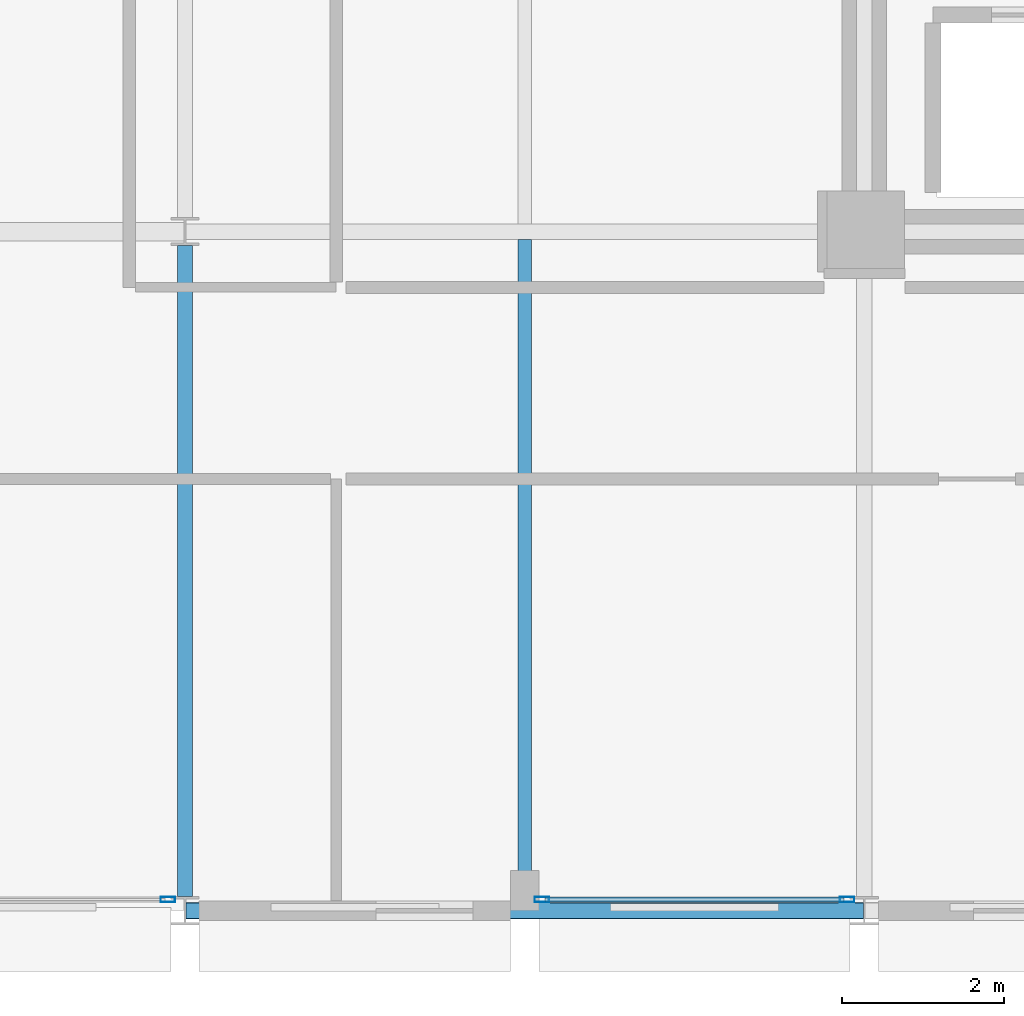
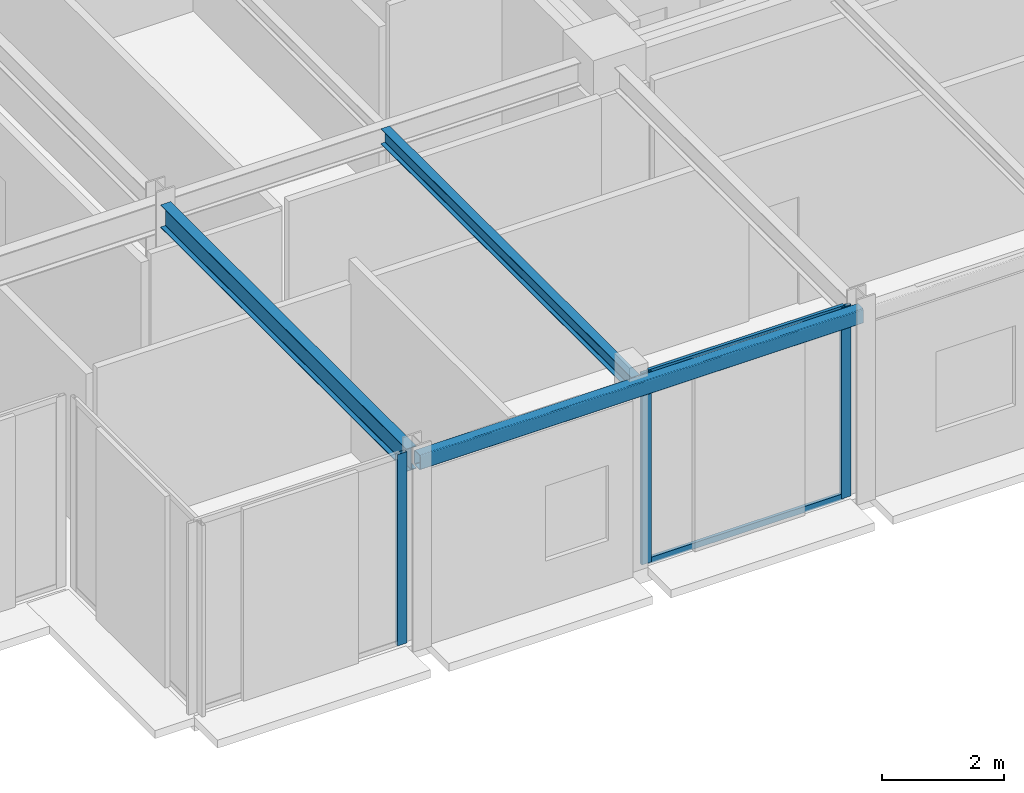
# One storey, part 6 of 29: 5 members, 3 beams, 2 elements without a shape of their own.
"""IFC4 building model written with IfcOpenShell, lengths in metres."""

from ifc_helpers import new_model, si_unit, direction, frame, origin, origin_2d, place, context, subcontext, project, spatial, hollow_rectangle, i_section, extrude, material, layer, layer_set, material_profile, profile_set, type_object, element, aggregate, save


model = new_model("IFC4")

# Units and contexts
model_context = context("Model", 3, precision=1e-05, world=origin(), true_north=direction((0.0, 1.0)))
body_context = subcontext(model_context, "Body", "Model", "MODEL_VIEW")
ifc_project = project(units=[si_unit("LENGTHUNIT", "METRE"), si_unit("AREAUNIT", "SQUARE_METRE"), si_unit("VOLUMEUNIT", "CUBIC_METRE"), si_unit("PLANEANGLEUNIT", "RADIAN"), si_unit("MASSUNIT", "GRAM", prefix="KILO")], contexts=[model_context])

# Site, building, storey
site_placement = place(None, origin())
site = spatial("IfcSite", under=ifc_project, at=site_placement, CompositionType="ELEMENT")
building_placement = place(site_placement, origin())
building = spatial("IfcBuilding", under=site, at=building_placement, Name="Nerrivon Quay Data Exchange", CompositionType="ELEMENT")
storey_placement = place(building_placement, frame((0.0, 0.0, 179.60009765625)))
storey = spatial("IfcBuildingStorey", under=building, at=storey_placement, Name="L42", CompositionType="ELEMENT", Elevation=179.60009765625)

# Beams
ifc_material_1 = material(Name="Steel Grade 350", Category="steel")
ifc_material_profile_1 = material_profile(ifc_material_1, i_section(OverallWidth=0.18994140625, OverallDepth=0.4541015625, WebThickness=0.008544921875, FlangeThickness=0.0126953125, FilletRadius=0.011474609375, at=origin_2d()), Name="460UB67.1")
ifc_profile_set_1 = profile_set([ifc_material_profile_1], Name="Steel Grade 350")
beam_type_1 = type_object("IfcBeamType", Name="BM-G6-460UB67", PredefinedType="BEAM", material=ifc_profile_set_1)
beam_1_placement = place(storey_placement, frame((8.39990234375, 0.175048828125, 3.597900390625), z_axis=(0.0, 1.0, 0.0), x_axis=(-1.0, 0.0, 0.0)))
element("IfcBeam", 1, at=beam_1_placement, inside=storey, type_object=beam_type_1, Name="L42 NS Girder X=8.4 (0.0..8.4)", PredefinedType="BEAM", context=body_context, shape_type="SweptSolid", body=[
    extrude(i_section(OverallWidth=0.18994140625, OverallDepth=0.4541015625, WebThickness=0.008544921875, FlangeThickness=0.0126953125, FilletRadius=0.011474609375, at=origin_2d()), origin(), (0.0, 0.0, 1.0), 8.050048828125),
])
ifc_material_profile_2 = material_profile(ifc_material_1, i_section(OverallWidth=0.166015625, OverallDepth=0.306884765625, WebThickness=0.006591796875, FlangeThickness=0.01171875, FilletRadius=0.011474609375, at=origin_2d()), Name="310UB46.2")
ifc_profile_set_2 = profile_set([ifc_material_profile_2], Name="Steel Grade 350")
beam_type_2 = type_object("IfcBeamType", Name="BM-J5-310UB46", PredefinedType="JOIST", material=ifc_profile_set_2)
beam_2_placement = place(storey_placement, frame((12.60009765625, 0.10009765625, 3.67138671875), z_axis=(0.0, 1.0, 0.0), x_axis=(-1.0, 0.0, 0.0)))
element("IfcBeam", 2, at=beam_2_placement, inside=storey, type_object=beam_type_2, Name="L42 Secondary Joist X=12.6 (0.0..8.4)", PredefinedType="JOIST", context=body_context, shape_type="SweptSolid", body=[
    extrude(i_section(OverallWidth=0.166015625, OverallDepth=0.306884765625, WebThickness=0.006591796875, FlangeThickness=0.01171875, FilletRadius=0.011474609375, at=origin_2d()), origin(), (0.0, 0.0, 1.0), 8.204345703125),
])
ifc_material_2 = material(Name="Steel Grade C350L0 (350 MPa)", Category="steel")
ifc_material_profile_3 = material_profile(ifc_material_2, hollow_rectangle(XDim=0.199951171875, YDim=0.300048828125, WallThickness=0.012451171875, InnerFilletRadius=0.018798828125, OuterFilletRadius=0.03125, at=origin_2d()), Name="300x200x12.5RHS")
ifc_profile_set_3 = profile_set([ifc_material_profile_3], Name="Steel Grade C350L0 (350 MPa)")
beam_type_3 = type_object("IfcBeamType", Name="BM-SP3-300x200RHS", PredefinedType="SPANDREL", material=ifc_profile_set_3)
beam_3_placement = place(storey_placement, frame((8.409912109375, 0.0, 3.6748046875), z_axis=(1.0, 0.0, 0.0), x_axis=(0.0, 1.0, 0.0)))
element("IfcBeam", 3, at=beam_3_placement, inside=storey, type_object=beam_type_3, Name="L42 EW Girder Y=0.0 (8.4..16.8)", PredefinedType="SPANDREL", context=body_context, shape_type="SweptSolid", body=[
    extrude(hollow_rectangle(XDim=0.199951171875, YDim=0.300048828125, WallThickness=0.012451171875, InnerFilletRadius=0.018798828125, OuterFilletRadius=0.03125, at=origin_2d()), origin(), (0.0, 0.0, 1.0), 8.380126953125),
])

# Curtain wall, members
ifc_material_3 = material(Name="Anodised aluminium 6063-T6", Category="aluminium")
ifc_layer = layer(ifc_material_3, 0.195068359375)
ifc_layer_set = layer_set([ifc_layer], Name="Anodised aluminium 6063-T6")
curtain_wall_type = type_object("IfcCurtainWallType", Name="CW-SYS-06", PredefinedType="NOTDEFINED", material=ifc_layer_set)
curtain_wall_1_placement = place(storey_placement, origin())
curtain_wall_1 = element("IfcCurtainWall", 4, at=curtain_wall_1_placement, inside=storey, type_object=curtain_wall_type, Name="L42 Unitised Curtain Wall 26", PredefinedType="NOTDEFINED")
ifc_material_profile_4 = material_profile(ifc_material_3, hollow_rectangle(XDim=0.06494140625, YDim=0.179931640625, WallThickness=0.00341796875, at=origin_2d()), Name="ALU-MULL-180x65")
ifc_profile_set_4 = profile_set([ifc_material_profile_4], Name="Anodised aluminium 6063-T6")
member_type_1 = type_object("IfcMemberType", Name="CWM-180x65", PredefinedType="MULLION", material=ifc_profile_set_4)
member_1_placement = place(storey_placement, frame((16.58740234375, 0.139892578125, 0.0), z_axis=(0.0, 0.0, 1.0), x_axis=(0.0, -1.0, 0.0)))
member_1 = element("IfcMember", 5, at=member_1_placement, type_object=member_type_1, Name="CW06 mullion 1", PredefinedType="MULLION", context=body_context, shape_type="SweptSolid", body=[
    extrude(hollow_rectangle(XDim=0.06494140625, YDim=0.179931640625, WallThickness=0.00341796875, at=origin_2d()), origin(), (0.0, 0.0, 1.0), 3.824951171875),
])
member_2_placement = place(storey_placement, frame((12.8125, 0.139892578125, 0.0), z_axis=(0.0, 0.0, 1.0), x_axis=(0.0, -1.0, 0.0)))
member_2 = element("IfcMember", 6, at=member_2_placement, type_object=member_type_1, Name="CW06 mullion 2", PredefinedType="MULLION", context=body_context, shape_type="SweptSolid", body=[
    extrude(hollow_rectangle(XDim=0.06494140625, YDim=0.179931640625, WallThickness=0.00341796875, at=origin_2d()), origin(), (0.0, 0.0, 1.0), 3.824951171875),
])

# Curtain wall, member
curtain_wall_2_placement = place(storey_placement, origin())
curtain_wall_2 = element("IfcCurtainWall", 7, at=curtain_wall_2_placement, inside=storey, type_object=curtain_wall_type, Name="L42 Unitised Curtain Wall 28", PredefinedType="NOTDEFINED")
member_3_placement = place(storey_placement, frame((8.1875, 0.139892578125, 0.0), z_axis=(0.0, 0.0, 1.0), x_axis=(0.0, -1.0, 0.0)))
member_3 = element("IfcMember", 8, at=member_3_placement, type_object=member_type_1, Name="CW06 mullion 1", PredefinedType="MULLION", context=body_context, shape_type="SweptSolid", body=[
    extrude(hollow_rectangle(XDim=0.06494140625, YDim=0.179931640625, WallThickness=0.00341796875, at=origin_2d()), origin(), (0.0, 0.0, 1.0), 3.824951171875),
])
aggregate(curtain_wall_2, [member_3])

# Member
ifc_material_profile_5 = material_profile(ifc_material_3, hollow_rectangle(XDim=0.06005859375, YDim=0.1201171875, WallThickness=0.003173828125, at=origin_2d()), Name="ALU-TRAN-120x60")
ifc_profile_set_5 = profile_set([ifc_material_profile_5], Name="Anodised aluminium 6063-T6")
member_type_2 = type_object("IfcMemberType", Name="CWT-120x60", PredefinedType="USERDEFINED", material=ifc_profile_set_5)
member_4_placement = place(storey_placement, frame((16.550048828125, 0.139892578125, 0.032470703125), z_axis=(-1.0, 0.0, 0.0), x_axis=(0.0, -1.0, 0.0)))
member_4 = element("IfcMember", 9, at=member_4_placement, type_object=member_type_2, Name="CW06 transom 1.1", ObjectType="TRANSOM", PredefinedType="USERDEFINED", context=body_context, shape_type="SweptSolid", body=[
    extrude(hollow_rectangle(XDim=0.06005859375, YDim=0.1201171875, WallThickness=0.003173828125, at=origin_2d()), origin(), (0.0, 0.0, 1.0), 3.699951171875),
])

member_5_placement = place(storey_placement, frame((16.550048828125, 0.139892578125, 3.79248046875), z_axis=(-1.0, 0.0, 0.0), x_axis=(0.0, -1.0, 0.0)))
member_5 = element("IfcMember", 10, at=member_5_placement, type_object=member_type_2, Name="CW06 transom 1.2", ObjectType="TRANSOM", PredefinedType="USERDEFINED", context=body_context, shape_type="SweptSolid", body=[
    extrude(hollow_rectangle(XDim=0.06005859375, YDim=0.1201171875, WallThickness=0.003173828125, at=origin_2d()), origin(), (0.0, 0.0, 1.0), 3.699951171875),
])

aggregate(curtain_wall_1, [member_1, member_2, member_4, member_5])

save(model, "model.ifc")
